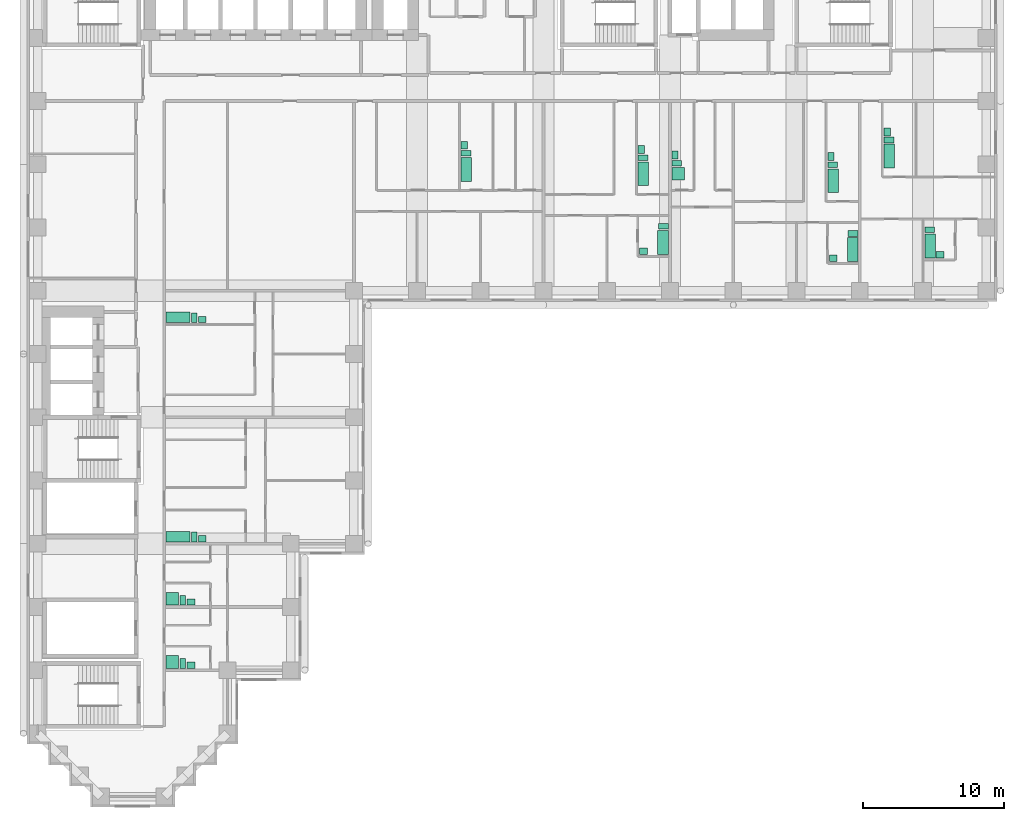
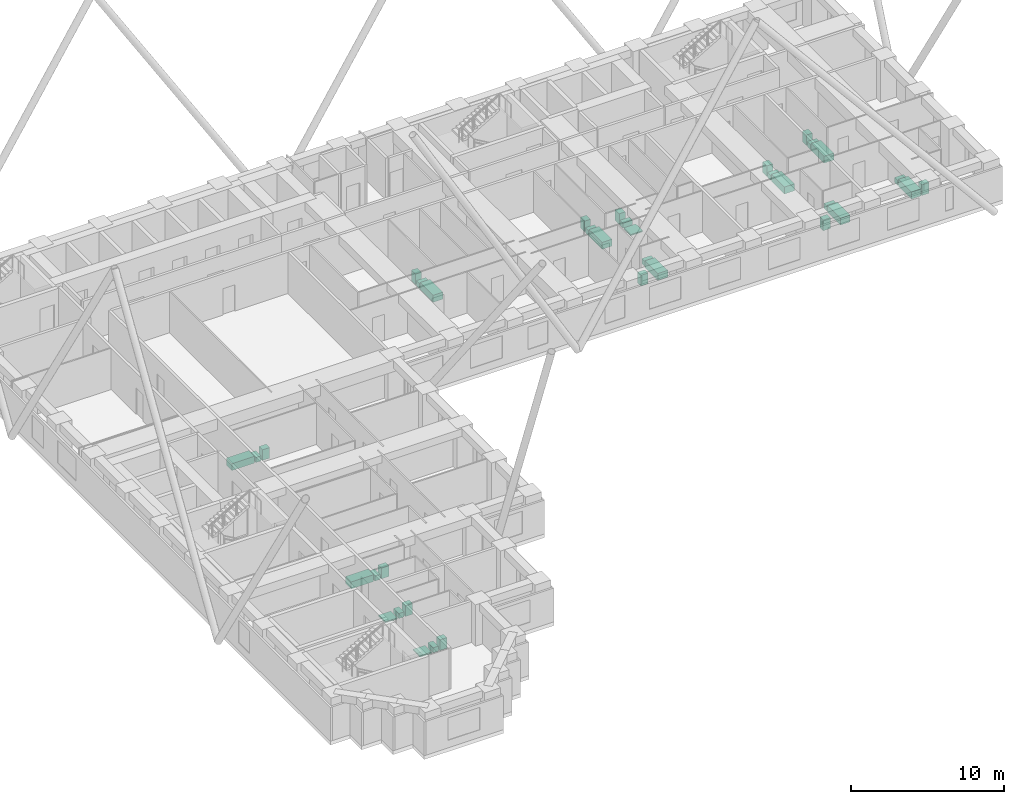
# One storey, part 13 of 13: 36 sanitary terminals.
"""IFC4 building model written with IfcOpenShell, lengths in metres."""

from ifc_helpers import new_model, si_unit, direction, frame, origin, origin_2d, place, context, subcontext, project, spatial, rectangle, extrude, material, type_object, element, save


model = new_model("IFC4")

# Units and contexts
model_context = context("Model", 3, precision=1e-05, world=origin(), true_north=direction((0.0, 1.0)))
body_context = subcontext(model_context, "Body", "Model", "MODEL_VIEW")
ifc_project = project(units=[si_unit("LENGTHUNIT", "METRE"), si_unit("AREAUNIT", "SQUARE_METRE"), si_unit("VOLUMEUNIT", "CUBIC_METRE"), si_unit("PLANEANGLEUNIT", "RADIAN"), si_unit("MASSUNIT", "GRAM", prefix="KILO")], contexts=[model_context])

# Site, building, storey
site_placement = place(None, origin())
site = spatial("IfcSite", under=ifc_project, at=site_placement, CompositionType="ELEMENT")
building_placement = place(site_placement, origin())
building = spatial("IfcBuilding", under=site, at=building_placement, Name="Firuza Court", CompositionType="ELEMENT")
storey_placement = place(building_placement, frame((0.0, 0.0, 72.199951171875)))
storey = spatial("IfcBuildingStorey", under=building, at=storey_placement, Name="L17", CompositionType="ELEMENT", Elevation=72.199951171875)

# Sanitary terminals
ifc_material_1 = material(Name="Vitreous china", Category="ceramic")
sanitary_terminal_type_1 = type_object("IfcSanitaryTerminalType", Name="Fixture Bath", PredefinedType="BATH", material=ifc_material_1)
for number, where, z_axis, x_axis, name in (
    (1, (30.5048828125, 44.6298828125, 0.0), (0.0, 0.0, 1.0), (1.0, 0.0, 0.0), "Bath"),
    (2, (43.10498046875, 44.330078125, 0.0), (0.0, 0.0, 1.0), (1.0, 0.0, 0.0), "Bath"),
    (3, (44.4951171875, 39.429931640625, 0.0), (0.0, 0.0, 1.0), (1.0, 0.0, 0.0), "Bath"),
    (4, (56.60498046875, 43.830078125, 0.0), (0.0, 0.0, 1.0), (1.0, 0.0, 0.0), "Bath"),
    (5, (57.9951171875, 38.929931640625, 0.0), (0.0, 0.0, 1.0), (1.0, 0.0, 0.0), "Bath"),
    (6, (60.60498046875, 45.580078125, 0.0), (0.0, 0.0, 1.0), (1.0, 0.0, 0.0), "Bath"),
    (7, (63.5048828125, 39.179931640625, 0.0), (0.0, 0.0, 1.0), (1.0, 0.0, 0.0), "Bath"),
):
    element("IfcSanitaryTerminal", number, at=place(storey_placement, frame(where, z_axis=z_axis, x_axis=x_axis)), inside=storey, type_object=sanitary_terminal_type_1, Name=name, PredefinedType="BATH", context=body_context, shape_type="SweptSolid", body=[
        extrude(rectangle(XDim=0.75, YDim=1.699951171875, at=origin_2d()), origin(), (0.0, 0.0, 1.0), 0.550048828125),
    ])
for number, where, z_axis, x_axis, name in (
    (8, (9.97998046875, 34.10498046875, 0.0), (0.0, 0.0, 1.0), (1.0, 0.0, 0.0), "Bath"),
    (9, (9.97998046875, 18.5048828125, 0.0), (0.0, 0.0, 1.0), (1.0, 0.0, 0.0), "Bath"),
):
    element("IfcSanitaryTerminal", number, at=place(storey_placement, frame(where, z_axis=z_axis, x_axis=x_axis)), inside=storey, type_object=sanitary_terminal_type_1, Name=name, PredefinedType="BATH", context=body_context, shape_type="SweptSolid", body=[
        extrude(rectangle(XDim=1.699951171875, YDim=0.75, at=origin_2d()), origin(), (0.0, 0.0, 1.0), 0.550048828125),
    ])
ifc_material_2 = material(Name="Vitreous china", Category="ceramic")
sanitary_terminal_type_2 = type_object("IfcSanitaryTerminalType", Name="Fixture Shower tray", PredefinedType="SHOWER", material=ifc_material_2)
for number, where, z_axis, x_axis, name in (
    (10, (45.580078125, 44.330078125, 0.0), (0.0, 0.0, 1.0), (1.0, 0.0, 0.0), "Shower tray"),
    (11, (9.580078125, 14.080078125, 0.0), (0.0, 0.0, 1.0), (1.0, 0.0, 0.0), "Shower tray"),
    (12, (9.580078125, 9.580078125, 0.0), (0.0, 0.0, 1.0), (1.0, 0.0, 0.0), "Shower tray"),
):
    element("IfcSanitaryTerminal", number, at=place(storey_placement, frame(where, z_axis=z_axis, x_axis=x_axis)), inside=storey, type_object=sanitary_terminal_type_2, Name=name, PredefinedType="SHOWER", context=body_context, shape_type="SweptSolid", body=[
        extrude(rectangle(XDim=0.89990234375, YDim=0.89990234375, at=origin_2d()), origin(), (0.0, 0.0, 1.0), 0.10009765625),
    ])
ifc_material_3 = material(Name="Vitreous china", Category="ceramic")
sanitary_terminal_type_3 = type_object("IfcSanitaryTerminalType", Name="Fixture WC pan", PredefinedType="TOILETPAN", material=ifc_material_3)
for number, where, z_axis, x_axis, name in (
    (13, (30.47998046875, 45.780029296875, 0.0), (0.0, 0.0, 1.0), (1.0, 0.0, 0.0), "WC pan"),
    (14, (43.080078125, 45.47998046875, 0.0), (0.0, 0.0, 1.0), (1.0, 0.0, 0.0), "WC pan"),
    (15, (44.52001953125, 40.580078125, 0.0), (0.0, 0.0, 1.0), (1.0, 0.0, 0.0), "WC pan"),
    (16, (45.47998046875, 45.080078125, 0.0), (0.0, 0.0, 1.0), (1.0, 0.0, 0.0), "WC pan"),
    (17, (56.580078125, 44.97998046875, 0.0), (0.0, 0.0, 1.0), (1.0, 0.0, 0.0), "WC pan"),
    (18, (58.02001953125, 40.080078125, 0.0), (0.0, 0.0, 1.0), (1.0, 0.0, 0.0), "WC pan"),
    (19, (60.580078125, 46.72998046875, 0.0), (0.0, 0.0, 1.0), (1.0, 0.0, 0.0), "WC pan"),
    (20, (63.47998046875, 40.330078125, 0.0), (0.0, 0.0, 1.0), (1.0, 0.0, 0.0), "WC pan"),
):
    element("IfcSanitaryTerminal", number, at=place(storey_placement, frame(where, z_axis=z_axis, x_axis=x_axis)), inside=storey, type_object=sanitary_terminal_type_3, Name=name, PredefinedType="TOILETPAN", context=body_context, shape_type="SweptSolid", body=[
        extrude(rectangle(XDim=0.699951171875, YDim=0.39990234375, at=origin_2d()), origin(), (0.0, 0.0, 1.0), 0.39990234375),
    ])
for number, where, z_axis, x_axis, name in (
    (21, (11.1298828125, 34.080078125, 0.0), (0.0, 0.0, 1.0), (1.0, 0.0, 0.0), "WC pan"),
    (22, (11.1298828125, 18.47998046875, 0.0), (0.0, 0.0, 1.0), (1.0, 0.0, 0.0), "WC pan"),
    (23, (10.330078125, 13.97998046875, 0.0), (0.0, 0.0, 1.0), (1.0, 0.0, 0.0), "WC pan"),
    (24, (10.330078125, 9.47998046875, 0.0), (0.0, 0.0, 1.0), (1.0, 0.0, 0.0), "WC pan"),
):
    element("IfcSanitaryTerminal", number, at=place(storey_placement, frame(where, z_axis=z_axis, x_axis=x_axis)), inside=storey, type_object=sanitary_terminal_type_3, Name=name, PredefinedType="TOILETPAN", context=body_context, shape_type="SweptSolid", body=[
        extrude(rectangle(XDim=0.39990234375, YDim=0.699951171875, at=origin_2d()), origin(), (0.0, 0.0, 1.0), 0.39990234375),
    ])
ifc_material_4 = material(Name="Vitreous china", Category="ceramic")
sanitary_terminal_type_4 = type_object("IfcSanitaryTerminalType", Name="Fixture Washbasin", PredefinedType="WASHHANDBASIN", material=ifc_material_4)
for number, where, z_axis, x_axis, name in (
    (25, (30.35498046875, 46.35498046875, 0.0), (0.0, 0.0, 1.0), (1.0, 0.0, 0.0), "Washbasin"),
    (26, (42.955078125, 46.054931640625, 0.0), (0.0, 0.0, 1.0), (1.0, 0.0, 0.0), "Washbasin"),
):
    element("IfcSanitaryTerminal", number, at=place(storey_placement, frame(where, z_axis=z_axis, x_axis=x_axis)), inside=storey, type_object=sanitary_terminal_type_4, Name=name, PredefinedType="WASHHANDBASIN", context=body_context, shape_type="SweptSolid", body=[
        extrude(rectangle(XDim=0.449951171875, YDim=0.550048828125, at=origin_2d()), origin(), (0.0, 0.0, 1.0), 0.85009765625),
    ])
sanitary_terminal_1_placement = place(storey_placement, frame((43.10498046875, 38.804931640625, 0.0), z_axis=(0.0, 0.0, 1.0), x_axis=(1.0, 0.0, 0.0)))
element("IfcSanitaryTerminal", 27, at=sanitary_terminal_1_placement, inside=storey, type_object=sanitary_terminal_type_4, Name="Washbasin", PredefinedType="WASHHANDBASIN", context=body_context, shape_type="SweptSolid", body=[
    extrude(rectangle(XDim=0.550048828125, YDim=0.449951171875, at=origin_2d()), origin(), (0.0, 0.0, 1.0), 0.85009765625),
])
for number, where, z_axis, x_axis, name in (
    (28, (45.35498046875, 45.655029296875, 0.0), (0.0, 0.0, 1.0), (1.0, 0.0, 0.0), "Washbasin"),
    (29, (56.455078125, 45.554931640625, 0.0), (0.0, 0.0, 1.0), (1.0, 0.0, 0.0), "Washbasin"),
):
    element("IfcSanitaryTerminal", number, at=place(storey_placement, frame(where, z_axis=z_axis, x_axis=x_axis)), inside=storey, type_object=sanitary_terminal_type_4, Name=name, PredefinedType="WASHHANDBASIN", context=body_context, shape_type="SweptSolid", body=[
        extrude(rectangle(XDim=0.449951171875, YDim=0.550048828125, at=origin_2d()), origin(), (0.0, 0.0, 1.0), 0.85009765625),
    ])
sanitary_terminal_2_placement = place(storey_placement, frame((56.60498046875, 38.304931640625, 0.0), z_axis=(0.0, 0.0, 1.0), x_axis=(1.0, 0.0, 0.0)))
element("IfcSanitaryTerminal", 30, at=sanitary_terminal_2_placement, inside=storey, type_object=sanitary_terminal_type_4, Name="Washbasin", PredefinedType="WASHHANDBASIN", context=body_context, shape_type="SweptSolid", body=[
    extrude(rectangle(XDim=0.550048828125, YDim=0.449951171875, at=origin_2d()), origin(), (0.0, 0.0, 1.0), 0.85009765625),
])
sanitary_terminal_3_placement = place(storey_placement, frame((60.455078125, 47.304931640625, 0.0), z_axis=(0.0, 0.0, 1.0), x_axis=(1.0, 0.0, 0.0)))
element("IfcSanitaryTerminal", 31, at=sanitary_terminal_3_placement, inside=storey, type_object=sanitary_terminal_type_4, Name="Washbasin", PredefinedType="WASHHANDBASIN", context=body_context, shape_type="SweptSolid", body=[
    extrude(rectangle(XDim=0.449951171875, YDim=0.550048828125, at=origin_2d()), origin(), (0.0, 0.0, 1.0), 0.85009765625),
])
for number, where, z_axis, x_axis, name in (
    (32, (64.205078125, 38.554931640625, 0.0), (0.0, 0.0, 1.0), (1.0, 0.0, 0.0), "Washbasin"),
    (33, (11.705078125, 33.955078125, 0.0), (0.0, 0.0, 1.0), (1.0, 0.0, 0.0), "Washbasin"),
    (34, (11.705078125, 18.35498046875, 0.0), (0.0, 0.0, 1.0), (1.0, 0.0, 0.0), "Washbasin"),
    (35, (10.905029296875, 13.85498046875, 0.0), (0.0, 0.0, 1.0), (1.0, 0.0, 0.0), "Washbasin"),
    (36, (10.905029296875, 9.35498046875, 0.0), (0.0, 0.0, 1.0), (1.0, 0.0, 0.0), "Washbasin"),
):
    element("IfcSanitaryTerminal", number, at=place(storey_placement, frame(where, z_axis=z_axis, x_axis=x_axis)), inside=storey, type_object=sanitary_terminal_type_4, Name=name, PredefinedType="WASHHANDBASIN", context=body_context, shape_type="SweptSolid", body=[
        extrude(rectangle(XDim=0.550048828125, YDim=0.449951171875, at=origin_2d()), origin(), (0.0, 0.0, 1.0), 0.85009765625),
    ])

save(model, "model.ifc")
